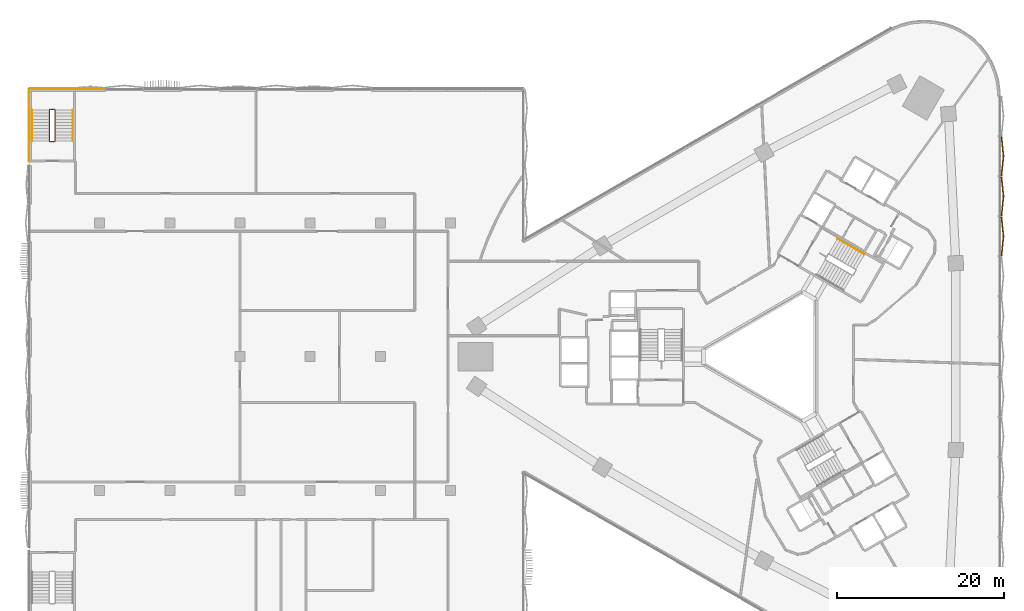
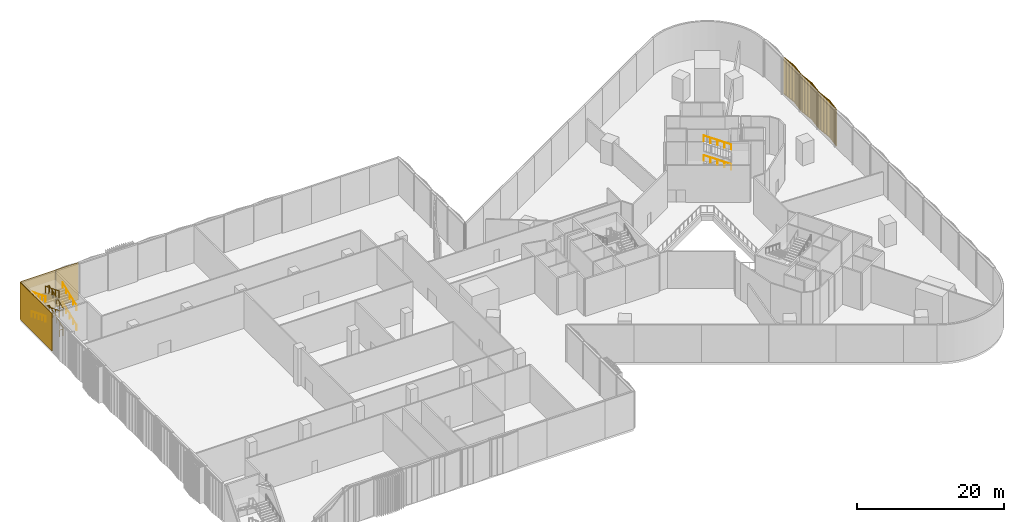
# One storey, part 29 of 32: 7 railings, 6 coverings.
"""IFC4 building model written with IfcOpenShell, lengths in metres."""

from ifc_helpers import new_model, si_unit, direction, frame, frame_2d, origin, origin_2d, place, context, subcontext, project, spatial, rectangle, circle, extrude, source, transform, mapped, material, layer, layer_set, type_object, element, save


model = new_model("IFC4")

# Units and contexts
model_context = context("Model", 3, precision=1e-05, world=origin(), true_north=direction((0.0, 1.0)))
body_context = subcontext(model_context, "Body", "Model", "MODEL_VIEW")
ifc_project = project(units=[si_unit("LENGTHUNIT", "METRE"), si_unit("AREAUNIT", "SQUARE_METRE"), si_unit("VOLUMEUNIT", "CUBIC_METRE"), si_unit("PLANEANGLEUNIT", "RADIAN"), si_unit("MASSUNIT", "GRAM", prefix="KILO")], contexts=[model_context])

# Site, building, storey
site_placement = place(None, origin())
site = spatial("IfcSite", under=ifc_project, at=site_placement, CompositionType="ELEMENT")
building_placement = place(site_placement, origin())
building = spatial("IfcBuilding", under=site, at=building_placement, Name="Tamra Quay Hotel Tower", CompositionType="ELEMENT")
storey_placement = place(building_placement, frame((0.0, 0.0, 7.5)))
storey = spatial("IfcBuildingStorey", under=building, at=storey_placement, Name="L01", CompositionType="ELEMENT", Elevation=7.5)

# Coverings
ifc_material_1 = material(Name="Precast concrete M60 terracotta-coloured pierced relief", Category="masonry")
ifc_layer = layer(ifc_material_1, 0.10009765625)
ifc_layer_set = layer_set([ifc_layer], Name="PIERCED RELIEF PANEL 100")
covering_type_1 = type_object("IfcCoveringType", Name="PIERCED RELIEF PANEL 100", PredefinedType="CLADDING", material=ifc_layer_set)
covering_1_placement = place(storey_placement, frame((-81.803955078125, 32.050048828125, 0.0), z_axis=(0.0, 0.0, 1.0), x_axis=(-1.0, 0.0, 0.0)))
element("IfcCovering", 1, at=covering_1_placement, inside=storey, type_object=covering_type_1, Name="Relief panel L01.NW.22", PredefinedType="CLADDING", context=body_context, shape_type="SweptSolid", body=[
    extrude(rectangle(XDim=3.572265625, YDim=0.10009765625, at=origin_2d()), origin(), (0.0, 0.0, 1.0), 6.14990234375),
])
covering_2_placement = place(storey_placement, frame((-86.35009765625, 32.050048828125, 0.0), z_axis=(0.0, 0.0, 1.0), x_axis=(-1.0, 0.0, 0.0)))
element("IfcCovering", 2, at=covering_2_placement, inside=storey, type_object=covering_type_1, Name="Relief panel L01.PS1.1", PredefinedType="CLADDING", context=body_context, shape_type="SweptSolid", body=[
    extrude(rectangle(XDim=5.47998046875, YDim=0.10009765625, at=origin_2d()), origin(), (0.0, 0.0, 1.0), 6.14990234375),
])
covering_3_placement = place(storey_placement, frame((-89.14990234375, 27.64990234375, 0.0), z_axis=(0.0, 0.0, 1.0), x_axis=(0.0, -1.0, 0.0)))
element("IfcCovering", 3, at=covering_3_placement, inside=storey, type_object=covering_type_1, Name="Relief panel L01.PS1.2", PredefinedType="CLADDING", context=body_context, shape_type="SweptSolid", body=[
    extrude(rectangle(XDim=8.679931640625, YDim=0.10009765625, at=origin_2d()), origin(), (0.0, 0.0, 1.0), 6.14990234375),
])

# Railings
ifc_material_2 = material(Name="Stair guard 1100")
railing_type_1 = type_object("IfcRailingType", Name="Stair guard 1100", PredefinedType="GUARDRAIL", material=ifc_material_2)
railing_1_placement = place(storey_placement, frame((-86.6298828125, 25.719970703125, 0.0)))
element("IfcRailing", 4, at=railing_1_placement, inside=storey, type_object=railing_type_1, Name="GR", PredefinedType="GUARDRAIL", context=body_context, shape_type="SweptSolid", body=[
    extrude(circle(Radius=0.02392578125, at=origin_2d()), frame((0.0, 0.0, 1.076171875), z_axis=(1.0, 0.0, 0.0), x_axis=(0.0, 1.0, 0.0)), (0.0, 0.0, 1.0), 0.559814453125),
    extrude(circle(Radius=0.02392578125, at=origin_2d()), frame((0.559814453125, 0.0, 1.076171875), z_axis=(0.305570493778, 0.305570493778, 0.901805603589), x_axis=(-0.707106781187, 0.707106781187, 0.0)), (0.0, 0.0, 1.0), 0.163818359375),
    extrude(circle(Radius=0.02392578125, at=origin_2d()), frame((0.60986328125, 0.050048828125, 1.2236328125), z_axis=(0.0, 0.930071711533, 0.367378022487), x_axis=(-1.0, 0.0, 0.0)), (0.0, 0.0, 1.0), 4.021240234375),
    extrude(circle(Radius=0.02392578125, at=origin_2d()), frame((0.60986328125, 3.7900390625, 2.701171875), z_axis=(-0.707106781187, 0.707106781187, 0.0), x_axis=(-0.707106781187, -0.707106781187, 0.0)), (0.0, 0.0, 1.0), 0.07080078125),
    extrude(circle(Radius=0.02392578125, at=origin_2d()), frame((0.559814453125, 3.840087890625, 2.701171875), z_axis=(-1.0, 0.0, 0.0), x_axis=(0.0, -1.0, 0.0)), (0.0, 0.0, 1.0), 0.559814453125),
    extrude(circle(Radius=0.02392578125, at=origin_2d()), frame((0.0, 3.840087890625, 2.701171875), z_axis=(-0.305570493778, -0.305570493778, 0.901805603589), x_axis=(0.707106781187, -0.707106781187, 0.0)), (0.0, 0.0, 1.0), 0.163818359375),
    extrude(circle(Radius=0.02392578125, at=origin_2d()), frame((-0.050048828125, 3.7900390625, 2.8486328125), z_axis=(0.0, -0.930071711533, 0.367378022487), x_axis=(1.0, 0.0, 0.0)), (0.0, 0.0, 1.0), 4.021240234375),
    extrude(circle(Radius=0.02392578125, at=origin_2d()), frame((-0.050048828125, 0.050048828125, 4.326171875), z_axis=(0.707106781187, -0.707106781187, 0.0), x_axis=(0.707106781187, 0.707106781187, 0.0)), (0.0, 0.0, 1.0), 0.07080078125),
    extrude(circle(Radius=0.02392578125, at=origin_2d()), frame((0.0, 0.0, 4.326171875), z_axis=(1.0, 0.0, 0.0), x_axis=(0.0, 1.0, 0.0)), (0.0, 0.0, 1.0), 0.559814453125),
    extrude(circle(Radius=0.02392578125, at=origin_2d()), frame((0.559814453125, 0.0, 4.326171875), z_axis=(0.305570493778, 0.305570493778, 0.901805603589), x_axis=(-0.707106781187, 0.707106781187, 0.0)), (0.0, 0.0, 1.0), 0.163818359375),
    extrude(circle(Radius=0.02392578125, at=origin_2d()), frame((0.60986328125, 0.050048828125, 4.4736328125), z_axis=(0.0, 0.930071711533, 0.367378022487), x_axis=(-1.0, 0.0, 0.0)), (0.0, 0.0, 1.0), 4.021240234375),
    extrude(circle(Radius=0.02392578125, at=origin_2d()), frame((0.60986328125, 3.7900390625, 5.951171875), z_axis=(-0.707106781187, 0.707106781187, 0.0), x_axis=(-0.707106781187, -0.707106781187, 0.0)), (0.0, 0.0, 1.0), 0.07080078125),
    extrude(circle(Radius=0.02392578125, at=origin_2d()), frame((0.559814453125, 3.840087890625, 5.951171875), z_axis=(-1.0, 0.0, 0.0), x_axis=(0.0, -1.0, 0.0)), (0.0, 0.0, 1.0), 0.559814453125),
    extrude(circle(Radius=0.02392578125, at=origin_2d()), frame((0.0, 3.840087890625, 5.951171875), z_axis=(-0.305570493778, -0.305570493778, 0.901805603589), x_axis=(0.707106781187, -0.707106781187, 0.0)), (0.0, 0.0, 1.0), 0.163818359375),
    extrude(circle(Radius=0.02392578125, at=origin_2d()), frame((-0.050048828125, 3.7900390625, 6.0986328125), z_axis=(0.0, -0.930071711533, 0.367378022487), x_axis=(1.0, 0.0, 0.0)), (0.0, 0.0, 1.0), 4.021240234375),
    extrude(circle(Radius=0.02099609375, at=origin_2d()), origin(), (0.0, 0.0, 1.0), 1.052001953125),
    extrude(circle(Radius=0.02099609375, at=origin_2d()), frame((0.559814453125, 0.0, 0.0)), (0.0, 0.0, 1.0), 1.052001953125),
    extrude(circle(Radius=0.02099609375, at=origin_2d()), frame((0.60986328125, 0.050048828125, 0.147705078125)), (0.0, 0.0, 1.0), 1.052001953125),
    extrude(circle(Radius=0.02099609375, at=origin_2d()), frame((0.60986328125, 0.985107421875, 0.51708984375)), (0.0, 0.0, 1.0), 1.052001953125),
    extrude(circle(Radius=0.02099609375, at=origin_2d()), frame((0.60986328125, 1.919921875, 0.88623046875)), (0.0, 0.0, 1.0), 1.052001953125),
    extrude(circle(Radius=0.02099609375, at=origin_2d()), frame((0.60986328125, 2.85498046875, 1.255615234375)), (0.0, 0.0, 1.0), 1.052001953125),
    extrude(circle(Radius=0.02099609375, at=origin_2d()), frame((0.60986328125, 3.7900390625, 1.625)), (0.0, 0.0, 1.0), 1.052001953125),
    extrude(circle(Radius=0.02099609375, at=origin_2d()), frame((0.559814453125, 3.840087890625, 1.625)), (0.0, 0.0, 1.0), 1.052001953125),
    extrude(circle(Radius=0.02099609375, at=origin_2d()), frame((0.0, 3.840087890625, 1.625)), (0.0, 0.0, 1.0), 1.052001953125),
    extrude(circle(Radius=0.02099609375, at=origin_2d()), frame((-0.050048828125, 3.7900390625, 1.772705078125)), (0.0, 0.0, 1.0), 1.052001953125),
    extrude(circle(Radius=0.02099609375, at=origin_2d()), frame((-0.050048828125, 2.85498046875, 2.14208984375)), (0.0, 0.0, 1.0), 1.052001953125),
    extrude(circle(Radius=0.02099609375, at=origin_2d()), frame((-0.050048828125, 1.919921875, 2.51123046875)), (0.0, 0.0, 1.0), 1.052001953125),
    extrude(circle(Radius=0.02099609375, at=origin_2d()), frame((-0.050048828125, 0.985107421875, 2.880615234375)), (0.0, 0.0, 1.0), 1.052001953125),
    extrude(circle(Radius=0.02099609375, at=origin_2d()), frame((-0.050048828125, 0.050048828125, 3.25)), (0.0, 0.0, 1.0), 1.052001953125),
    extrude(circle(Radius=0.02099609375, at=origin_2d()), frame((0.0, 0.0, 3.25)), (0.0, 0.0, 1.0), 1.052001953125),
    extrude(circle(Radius=0.02099609375, at=origin_2d()), frame((0.559814453125, 0.0, 3.25)), (0.0, 0.0, 1.0), 1.052001953125),
    extrude(circle(Radius=0.02099609375, at=origin_2d()), frame((0.60986328125, 0.050048828125, 3.397705078125)), (0.0, 0.0, 1.0), 1.052001953125),
    extrude(circle(Radius=0.02099609375, at=origin_2d()), frame((0.60986328125, 0.985107421875, 3.76708984375)), (0.0, 0.0, 1.0), 1.052001953125),
    extrude(circle(Radius=0.02099609375, at=origin_2d()), frame((0.60986328125, 1.919921875, 4.13623046875)), (0.0, 0.0, 1.0), 1.052001953125),
    extrude(circle(Radius=0.02099609375, at=origin_2d()), frame((0.60986328125, 2.85498046875, 4.505615234375)), (0.0, 0.0, 1.0), 1.052001953125),
    extrude(circle(Radius=0.02099609375, at=origin_2d()), frame((0.60986328125, 3.7900390625, 4.875)), (0.0, 0.0, 1.0), 1.052001953125),
    extrude(circle(Radius=0.02099609375, at=origin_2d()), frame((0.559814453125, 3.840087890625, 4.875)), (0.0, 0.0, 1.0), 1.052001953125),
    extrude(circle(Radius=0.02099609375, at=origin_2d()), frame((0.0, 3.840087890625, 4.875)), (0.0, 0.0, 1.0), 1.052001953125),
    extrude(circle(Radius=0.02099609375, at=origin_2d()), frame((-0.050048828125, 3.7900390625, 5.022705078125)), (0.0, 0.0, 1.0), 1.052001953125),
    extrude(circle(Radius=0.02099609375, at=origin_2d()), frame((-0.050048828125, 2.85498046875, 5.39208984375)), (0.0, 0.0, 1.0), 1.052001953125),
    extrude(circle(Radius=0.02099609375, at=origin_2d()), frame((-0.050048828125, 1.919921875, 5.76123046875)), (0.0, 0.0, 1.0), 1.052001953125),
    extrude(circle(Radius=0.02099609375, at=origin_2d()), frame((-0.050048828125, 0.985107421875, 6.130615234375)), (0.0, 0.0, 1.0), 1.052001953125),
    extrude(circle(Radius=0.02099609375, at=origin_2d()), frame((-0.050048828125, 0.050048828125, 6.5)), (0.0, 0.0, 1.0), 1.052001953125),
])
ifc_material_3 = material(Name="Stair handrail 900")
railing_type_2 = type_object("IfcRailingType", Name="Stair handrail 900", PredefinedType="HANDRAIL", material=ifc_material_3)
for number, where, name in (
    (5, (10.81884765625, 12.218994140625, 1.772705078125), "HR"),
    (6, (10.81884765625, 12.218994140625, 5.022705078125), "HR"),
):
    element("IfcRailing", number, at=place(storey_placement, frame(where)), inside=storey, type_object=railing_type_2, Name=name, PredefinedType="HANDRAIL", context=body_context, shape_type="SweptSolid", body=[
        extrude(circle(Radius=0.02392578125, at=origin_2d()), frame((0.0, 0.0, 0.8759765625), z_axis=(-0.805484708962, 0.46500394859, 0.367376797613), x_axis=(-0.499965433771, -0.866045359686, 0.0)), (0.0, 0.0, 1.0), 4.021240234375),
        extrude(circle(Radius=0.02099609375, at=origin_2d()), origin(), (0.0, 0.0, 1.0), 0.851806640625),
        extrude(circle(Radius=0.02099609375, at=origin_2d()), frame((-0.809814453125, 0.467529296875, 0.369384765625)), (0.0, 0.0, 1.0), 0.851806640625),
        extrude(circle(Radius=0.02099609375, at=origin_2d()), frame((-1.61962890625, 0.93505859375, 0.73876953125)), (0.0, 0.0, 1.0), 0.851806640625),
        extrude(circle(Radius=0.02099609375, at=origin_2d()), frame((-2.42919921875, 1.40234375, 1.10791015625)), (0.0, 0.0, 1.0), 0.851806640625),
        extrude(circle(Radius=0.02099609375, at=origin_2d()), frame((-3.239013671875, 1.869873046875, 1.477294921875)), (0.0, 0.0, 1.0), 0.851806640625),
    ])
railing_2_placement = place(storey_placement, frame((-83.919921875, 25.77001953125, 0.147705078125)))
element("IfcRailing", 7, at=railing_2_placement, inside=storey, type_object=railing_type_2, Name="HR", PredefinedType="HANDRAIL", context=body_context, shape_type="SweptSolid", body=[
    extrude(circle(Radius=0.02392578125, at=origin_2d()), frame((0.0, 0.0, 0.8759765625), z_axis=(0.0, 0.930071711533, 0.367378022487), x_axis=(-1.0, 0.0, 0.0)), (0.0, 0.0, 1.0), 4.021240234375),
    extrude(circle(Radius=0.02099609375, at=origin_2d()), origin(), (0.0, 0.0, 1.0), 0.851806640625),
    extrude(circle(Radius=0.02099609375, at=origin_2d()), frame((0.0, 0.93505859375, 0.369384765625)), (0.0, 0.0, 1.0), 0.851806640625),
    extrude(circle(Radius=0.02099609375, at=origin_2d()), frame((0.0, 1.8701171875, 0.73876953125)), (0.0, 0.0, 1.0), 0.851806640625),
    extrude(circle(Radius=0.02099609375, at=origin_2d()), frame((0.0, 2.804931640625, 1.10791015625)), (0.0, 0.0, 1.0), 0.851806640625),
    extrude(circle(Radius=0.02099609375, at=origin_2d()), frame((0.0, 3.739990234375, 1.477294921875)), (0.0, 0.0, 1.0), 0.851806640625),
])
railing_3_placement = place(storey_placement, frame((-88.780029296875, 29.510009765625, 1.772705078125)))
element("IfcRailing", 8, at=railing_3_placement, inside=storey, type_object=railing_type_2, Name="HR", PredefinedType="HANDRAIL", context=body_context, shape_type="SweptSolid", body=[
    extrude(circle(Radius=0.02392578125, at=origin_2d()), frame((0.0, 0.0, 0.8759765625), z_axis=(0.0, -0.930071711533, 0.367378022487), x_axis=(1.0, 0.0, 0.0)), (0.0, 0.0, 1.0), 4.021240234375),
    extrude(circle(Radius=0.02099609375, at=origin_2d()), origin(), (0.0, 0.0, 1.0), 0.851806640625),
    extrude(circle(Radius=0.02099609375, at=origin_2d()), frame((0.0, -0.93505859375, 0.369384765625)), (0.0, 0.0, 1.0), 0.851806640625),
    extrude(circle(Radius=0.02099609375, at=origin_2d()), frame((0.0, -1.8701171875, 0.73876953125)), (0.0, 0.0, 1.0), 0.851806640625),
    extrude(circle(Radius=0.02099609375, at=origin_2d()), frame((0.0, -2.804931640625, 1.10791015625)), (0.0, 0.0, 1.0), 0.851806640625),
    extrude(circle(Radius=0.02099609375, at=origin_2d()), frame((0.0, -3.739990234375, 1.477294921875)), (0.0, 0.0, 1.0), 0.851806640625),
])
railing_4_placement = place(storey_placement, frame((-83.919921875, 25.77001953125, 3.397705078125)))
element("IfcRailing", 9, at=railing_4_placement, inside=storey, type_object=railing_type_2, Name="HR", PredefinedType="HANDRAIL", context=body_context, shape_type="SweptSolid", body=[
    extrude(circle(Radius=0.02392578125, at=origin_2d()), frame((0.0, 0.0, 0.8759765625), z_axis=(0.0, 0.930071711533, 0.367378022487), x_axis=(-1.0, 0.0, 0.0)), (0.0, 0.0, 1.0), 4.021240234375),
    extrude(circle(Radius=0.02099609375, at=origin_2d()), origin(), (0.0, 0.0, 1.0), 0.851806640625),
    extrude(circle(Radius=0.02099609375, at=origin_2d()), frame((0.0, 0.93505859375, 0.369384765625)), (0.0, 0.0, 1.0), 0.851806640625),
    extrude(circle(Radius=0.02099609375, at=origin_2d()), frame((0.0, 1.8701171875, 0.73876953125)), (0.0, 0.0, 1.0), 0.851806640625),
    extrude(circle(Radius=0.02099609375, at=origin_2d()), frame((0.0, 2.804931640625, 1.10791015625)), (0.0, 0.0, 1.0), 0.851806640625),
    extrude(circle(Radius=0.02099609375, at=origin_2d()), frame((0.0, 3.739990234375, 1.477294921875)), (0.0, 0.0, 1.0), 0.851806640625),
])
railing_5_placement = place(storey_placement, frame((-88.780029296875, 29.510009765625, 5.022705078125)))
element("IfcRailing", 10, at=railing_5_placement, inside=storey, type_object=railing_type_2, Name="HR", PredefinedType="HANDRAIL", context=body_context, shape_type="SweptSolid", body=[
    extrude(circle(Radius=0.02392578125, at=origin_2d()), frame((0.0, 0.0, 0.8759765625), z_axis=(0.0, -0.930071711533, 0.367378022487), x_axis=(1.0, 0.0, 0.0)), (0.0, 0.0, 1.0), 4.021240234375),
    extrude(circle(Radius=0.02099609375, at=origin_2d()), origin(), (0.0, 0.0, 1.0), 0.851806640625),
    extrude(circle(Radius=0.02099609375, at=origin_2d()), frame((0.0, -0.93505859375, 0.369384765625)), (0.0, 0.0, 1.0), 0.851806640625),
    extrude(circle(Radius=0.02099609375, at=origin_2d()), frame((0.0, -1.8701171875, 0.73876953125)), (0.0, 0.0, 1.0), 0.851806640625),
    extrude(circle(Radius=0.02099609375, at=origin_2d()), frame((0.0, -2.804931640625, 1.10791015625)), (0.0, 0.0, 1.0), 0.851806640625),
    extrude(circle(Radius=0.02099609375, at=origin_2d()), frame((0.0, -3.739990234375, 1.477294921875)), (0.0, 0.0, 1.0), 0.851806640625),
])

# Coverings
ifc_material_4 = material(Name="Terracotta baguette extruded", Category="masonry")
covering_type_2 = type_object("IfcCoveringType", Name="BAGUETTE SCREEN PODIUM-SHALLOW H6150", PredefinedType="USERDEFINED", material=ifc_material_4)
shared_shape = source(origin(), body_context, "Body", "SweptSolid", [
    extrude(rectangle(XDim=2.365478515625, YDim=0.06005859375, at=frame_2d((1.1826171875, 0.030029296875))), frame((-2.35888671875, -0.0576171875, -0.1201171875), z_axis=(0.0, 0.0, 1.0), x_axis=(0.994521895368, -0.104528463268, 0.0)), (0.0, 0.0, 1.0), 0.1201171875),
    extrude(rectangle(XDim=2.365478515625, YDim=0.06005859375, at=frame_2d((1.1826171875, 0.030029296875))), frame((-2.35888671875, -0.0576171875, -6.14990234375), z_axis=(0.0, 0.0, 1.0), x_axis=(0.994521895368, -0.104528463268, 0.0)), (0.0, 0.0, 1.0), 0.1201171875),
    extrude(rectangle(XDim=0.094970703125, YDim=0.10009765625, at=frame_2d((0.04736328125, 0.050048828125))), frame((-2.35107421875, -0.133056640625, -6.090087890625)), (0.0, 0.0, 1.0), 6.030029296875),
    extrude(rectangle(XDim=0.094970703125, YDim=0.10009765625, at=frame_2d((0.04736328125, 0.050048828125))), frame((-2.2529296875, -0.1435546875, -6.090087890625)), (0.0, 0.0, 1.0), 6.030029296875),
    extrude(rectangle(XDim=0.094970703125, YDim=0.10009765625, at=frame_2d((0.04736328125, 0.050048828125))), frame((-2.155029296875, -0.15380859375, -6.090087890625)), (0.0, 0.0, 1.0), 6.030029296875),
    extrude(rectangle(XDim=0.094970703125, YDim=0.10009765625, at=frame_2d((0.04736328125, 0.050048828125))), frame((-2.056884765625, -0.1640625, -6.090087890625)), (0.0, 0.0, 1.0), 6.030029296875),
    extrude(rectangle(XDim=0.094970703125, YDim=0.10009765625, at=frame_2d((0.04736328125, 0.050048828125))), frame((-1.958984375, -0.17431640625, -6.090087890625)), (0.0, 0.0, 1.0), 6.030029296875),
    extrude(rectangle(XDim=0.094970703125, YDim=0.10009765625, at=frame_2d((0.04736328125, 0.050048828125))), frame((-1.86083984375, -0.1845703125, -6.090087890625)), (0.0, 0.0, 1.0), 6.030029296875),
    extrude(rectangle(XDim=0.094970703125, YDim=0.10009765625, at=frame_2d((0.04736328125, 0.050048828125))), frame((-1.762939453125, -0.195068359375, -6.090087890625)), (0.0, 0.0, 1.0), 6.030029296875),
    extrude(rectangle(XDim=0.094970703125, YDim=0.10009765625, at=frame_2d((0.04736328125, 0.050048828125))), frame((-1.664794921875, -0.205322265625, -6.090087890625)), (0.0, 0.0, 1.0), 6.030029296875),
    extrude(rectangle(XDim=0.094970703125, YDim=0.10009765625, at=frame_2d((0.04736328125, 0.050048828125))), frame((-1.56689453125, -0.215576171875, -6.090087890625)), (0.0, 0.0, 1.0), 6.030029296875),
    extrude(rectangle(XDim=0.094970703125, YDim=0.10009765625, at=frame_2d((0.04736328125, 0.050048828125))), frame((-1.46875, -0.225830078125, -6.090087890625)), (0.0, 0.0, 1.0), 6.030029296875),
    extrude(rectangle(XDim=0.094970703125, YDim=0.10009765625, at=frame_2d((0.04736328125, 0.050048828125))), frame((-1.370849609375, -0.236083984375, -6.090087890625)), (0.0, 0.0, 1.0), 6.030029296875),
    extrude(rectangle(XDim=0.094970703125, YDim=0.10009765625, at=frame_2d((0.04736328125, 0.050048828125))), frame((-1.272705078125, -0.24658203125, -6.090087890625)), (0.0, 0.0, 1.0), 6.030029296875),
    extrude(rectangle(XDim=0.094970703125, YDim=0.10009765625, at=frame_2d((0.04736328125, 0.050048828125))), frame((-1.1748046875, -0.2568359375, -6.090087890625)), (0.0, 0.0, 1.0), 6.030029296875),
    extrude(rectangle(XDim=0.094970703125, YDim=0.10009765625, at=frame_2d((0.04736328125, 0.050048828125))), frame((-1.07666015625, -0.26708984375, -6.090087890625)), (0.0, 0.0, 1.0), 6.030029296875),
    extrude(rectangle(XDim=0.094970703125, YDim=0.10009765625, at=frame_2d((0.04736328125, 0.050048828125))), frame((-0.978759765625, -0.27734375, -6.090087890625)), (0.0, 0.0, 1.0), 6.030029296875),
    extrude(rectangle(XDim=0.094970703125, YDim=0.10009765625, at=frame_2d((0.04736328125, 0.050048828125))), frame((-0.880615234375, -0.28759765625, -6.090087890625)), (0.0, 0.0, 1.0), 6.030029296875),
    extrude(rectangle(XDim=0.094970703125, YDim=0.10009765625, at=frame_2d((0.04736328125, 0.050048828125))), frame((-0.78271484375, -0.298095703125, -6.090087890625)), (0.0, 0.0, 1.0), 6.030029296875),
    extrude(rectangle(XDim=0.094970703125, YDim=0.10009765625, at=frame_2d((0.04736328125, 0.050048828125))), frame((-0.6845703125, -0.308349609375, -6.090087890625)), (0.0, 0.0, 1.0), 6.030029296875),
    extrude(rectangle(XDim=0.094970703125, YDim=0.10009765625, at=frame_2d((0.04736328125, 0.050048828125))), frame((-0.586669921875, -0.318603515625, -6.090087890625)), (0.0, 0.0, 1.0), 6.030029296875),
    extrude(rectangle(XDim=0.094970703125, YDim=0.10009765625, at=frame_2d((0.04736328125, 0.050048828125))), frame((-0.488525390625, -0.328857421875, -6.090087890625)), (0.0, 0.0, 1.0), 6.030029296875),
    extrude(rectangle(XDim=0.094970703125, YDim=0.10009765625, at=frame_2d((0.04736328125, 0.050048828125))), frame((-0.390625, -0.339111328125, -6.090087890625)), (0.0, 0.0, 1.0), 6.030029296875),
    extrude(rectangle(XDim=0.094970703125, YDim=0.10009765625, at=frame_2d((0.04736328125, 0.050048828125))), frame((-0.29248046875, -0.349609375, -6.090087890625)), (0.0, 0.0, 1.0), 6.030029296875),
    extrude(rectangle(XDim=0.094970703125, YDim=0.10009765625, at=frame_2d((0.04736328125, 0.050048828125))), frame((-0.194580078125, -0.35986328125, -6.090087890625)), (0.0, 0.0, 1.0), 6.030029296875),
    extrude(rectangle(XDim=0.094970703125, YDim=0.10009765625, at=frame_2d((0.04736328125, 0.050048828125))), frame((-0.096435546875, -0.3701171875, -6.090087890625)), (0.0, 0.0, 1.0), 6.030029296875),
    extrude(rectangle(XDim=2.365478515625, YDim=0.06005859375, at=frame_2d((1.1826171875, 0.030029296875))), frame((0.00634765625, -0.304931640625, -0.1201171875), z_axis=(0.0, 0.0, 1.0), x_axis=(0.994521895368, 0.104528463268, 0.0)), (0.0, 0.0, 1.0), 0.1201171875),
    extrude(rectangle(XDim=2.365478515625, YDim=0.06005859375, at=frame_2d((1.1826171875, 0.030029296875))), frame((0.00634765625, -0.304931640625, -6.14990234375), z_axis=(0.0, 0.0, 1.0), x_axis=(0.994521895368, 0.104528463268, 0.0)), (0.0, 0.0, 1.0), 0.1201171875),
    extrude(rectangle(XDim=0.094970703125, YDim=0.10009765625, at=frame_2d((0.04736328125, 0.050048828125))), frame((0.00146484375, -0.3701171875, -6.090087890625)), (0.0, 0.0, 1.0), 6.030029296875),
    extrude(rectangle(XDim=0.094970703125, YDim=0.10009765625, at=frame_2d((0.04736328125, 0.050048828125))), frame((0.099609375, -0.35986328125, -6.090087890625)), (0.0, 0.0, 1.0), 6.030029296875),
    extrude(rectangle(XDim=0.094970703125, YDim=0.10009765625, at=frame_2d((0.04736328125, 0.050048828125))), frame((0.197509765625, -0.349609375, -6.090087890625)), (0.0, 0.0, 1.0), 6.030029296875),
    extrude(rectangle(XDim=0.094970703125, YDim=0.10009765625, at=frame_2d((0.04736328125, 0.050048828125))), frame((0.295654296875, -0.339111328125, -6.090087890625)), (0.0, 0.0, 1.0), 6.030029296875),
    extrude(rectangle(XDim=0.094970703125, YDim=0.10009765625, at=frame_2d((0.04736328125, 0.050048828125))), frame((0.3935546875, -0.328857421875, -6.090087890625)), (0.0, 0.0, 1.0), 6.030029296875),
    extrude(rectangle(XDim=0.094970703125, YDim=0.10009765625, at=frame_2d((0.04736328125, 0.050048828125))), frame((0.49169921875, -0.318603515625, -6.090087890625)), (0.0, 0.0, 1.0), 6.030029296875),
    extrude(rectangle(XDim=0.094970703125, YDim=0.10009765625, at=frame_2d((0.04736328125, 0.050048828125))), frame((0.589599609375, -0.308349609375, -6.090087890625)), (0.0, 0.0, 1.0), 6.030029296875),
    extrude(rectangle(XDim=0.094970703125, YDim=0.10009765625, at=frame_2d((0.04736328125, 0.050048828125))), frame((0.687744140625, -0.298095703125, -6.090087890625)), (0.0, 0.0, 1.0), 6.030029296875),
    extrude(rectangle(XDim=0.094970703125, YDim=0.10009765625, at=frame_2d((0.04736328125, 0.050048828125))), frame((0.78564453125, -0.28759765625, -6.090087890625)), (0.0, 0.0, 1.0), 6.030029296875),
    extrude(rectangle(XDim=0.094970703125, YDim=0.10009765625, at=frame_2d((0.04736328125, 0.050048828125))), frame((0.8837890625, -0.27734375, -6.090087890625)), (0.0, 0.0, 1.0), 6.030029296875),
    extrude(rectangle(XDim=0.094970703125, YDim=0.10009765625, at=frame_2d((0.04736328125, 0.050048828125))), frame((0.981689453125, -0.26708984375, -6.090087890625)), (0.0, 0.0, 1.0), 6.030029296875),
    extrude(rectangle(XDim=0.094970703125, YDim=0.10009765625, at=frame_2d((0.04736328125, 0.050048828125))), frame((1.079833984375, -0.2568359375, -6.090087890625)), (0.0, 0.0, 1.0), 6.030029296875),
    extrude(rectangle(XDim=0.094970703125, YDim=0.10009765625, at=frame_2d((0.04736328125, 0.050048828125))), frame((1.177734375, -0.24658203125, -6.090087890625)), (0.0, 0.0, 1.0), 6.030029296875),
    extrude(rectangle(XDim=0.094970703125, YDim=0.10009765625, at=frame_2d((0.04736328125, 0.050048828125))), frame((1.27587890625, -0.236083984375, -6.090087890625)), (0.0, 0.0, 1.0), 6.030029296875),
    extrude(rectangle(XDim=0.094970703125, YDim=0.10009765625, at=frame_2d((0.04736328125, 0.050048828125))), frame((1.373779296875, -0.225830078125, -6.090087890625)), (0.0, 0.0, 1.0), 6.030029296875),
    extrude(rectangle(XDim=0.094970703125, YDim=0.10009765625, at=frame_2d((0.04736328125, 0.050048828125))), frame((1.471923828125, -0.215576171875, -6.090087890625)), (0.0, 0.0, 1.0), 6.030029296875),
    extrude(rectangle(XDim=0.094970703125, YDim=0.10009765625, at=frame_2d((0.04736328125, 0.050048828125))), frame((1.56982421875, -0.205322265625, -6.090087890625)), (0.0, 0.0, 1.0), 6.030029296875),
    extrude(rectangle(XDim=0.094970703125, YDim=0.10009765625, at=frame_2d((0.04736328125, 0.050048828125))), frame((1.66796875, -0.195068359375, -6.090087890625)), (0.0, 0.0, 1.0), 6.030029296875),
    extrude(rectangle(XDim=0.094970703125, YDim=0.10009765625, at=frame_2d((0.04736328125, 0.050048828125))), frame((1.765869140625, -0.1845703125, -6.090087890625)), (0.0, 0.0, 1.0), 6.030029296875),
    extrude(rectangle(XDim=0.094970703125, YDim=0.10009765625, at=frame_2d((0.04736328125, 0.050048828125))), frame((1.864013671875, -0.17431640625, -6.090087890625)), (0.0, 0.0, 1.0), 6.030029296875),
    extrude(rectangle(XDim=0.094970703125, YDim=0.10009765625, at=frame_2d((0.04736328125, 0.050048828125))), frame((1.9619140625, -0.1640625, -6.090087890625)), (0.0, 0.0, 1.0), 6.030029296875),
    extrude(rectangle(XDim=0.094970703125, YDim=0.10009765625, at=frame_2d((0.04736328125, 0.050048828125))), frame((2.06005859375, -0.15380859375, -6.090087890625)), (0.0, 0.0, 1.0), 6.030029296875),
    extrude(rectangle(XDim=0.094970703125, YDim=0.10009765625, at=frame_2d((0.04736328125, 0.050048828125))), frame((2.157958984375, -0.1435546875, -6.090087890625)), (0.0, 0.0, 1.0), 6.030029296875),
    extrude(rectangle(XDim=0.094970703125, YDim=0.10009765625, at=frame_2d((0.04736328125, 0.050048828125))), frame((2.256103515625, -0.133056640625, -6.090087890625)), (0.0, 0.0, 1.0), 6.030029296875),
])
for number, where, z_axis, x_axis, name in (
    (11, (27.14794921875, 14.389404296875, 6.14990234375), (0.0, 0.0, 1.0), (0.0, 1.0, 0.0), "Baguette screen L01.E.f13"),
    (12, (27.14794921875, 19.185791015625, 6.14990234375), (0.0, 0.0, 1.0), (0.0, 1.0, 0.0), "Baguette screen L01.E.f14"),
    (13, (27.14794921875, 23.982177734375, 6.14990234375), (0.0, 0.0, 1.0), (0.0, 1.0, 0.0), "Baguette screen L01.E.f15"),
):
    element("IfcCovering", number, at=place(storey_placement, frame(where, z_axis=z_axis, x_axis=x_axis)), inside=storey, type_object=covering_type_2, Name=name, ObjectType="BAGUETTE SCREEN", PredefinedType="USERDEFINED", context=body_context, shape_type="MappedRepresentation", body=[
        mapped(shared_shape, transform((0.0, 0.0, 0.0), scale=1.0)),
    ])

save(model, "model.ifc")
